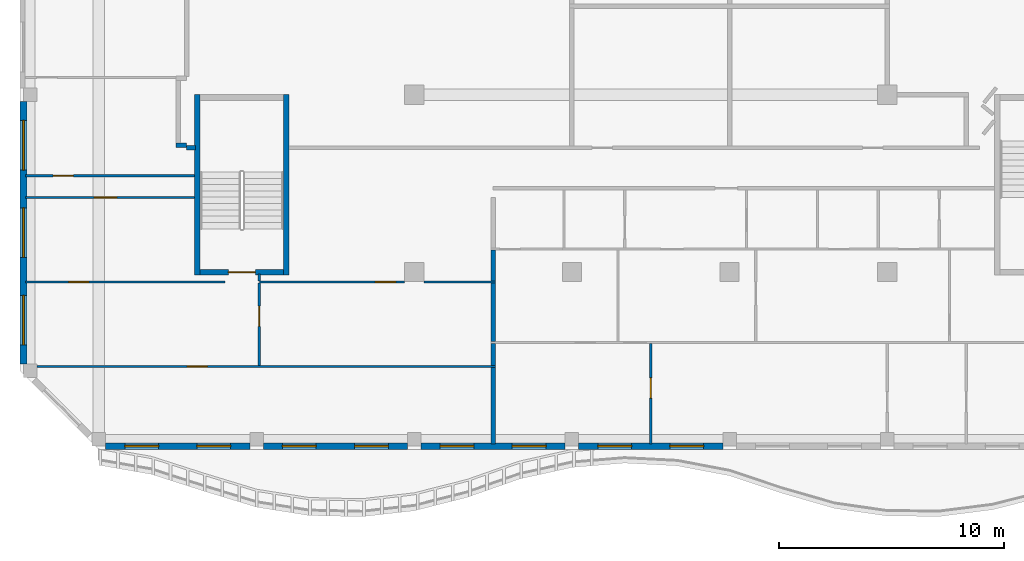
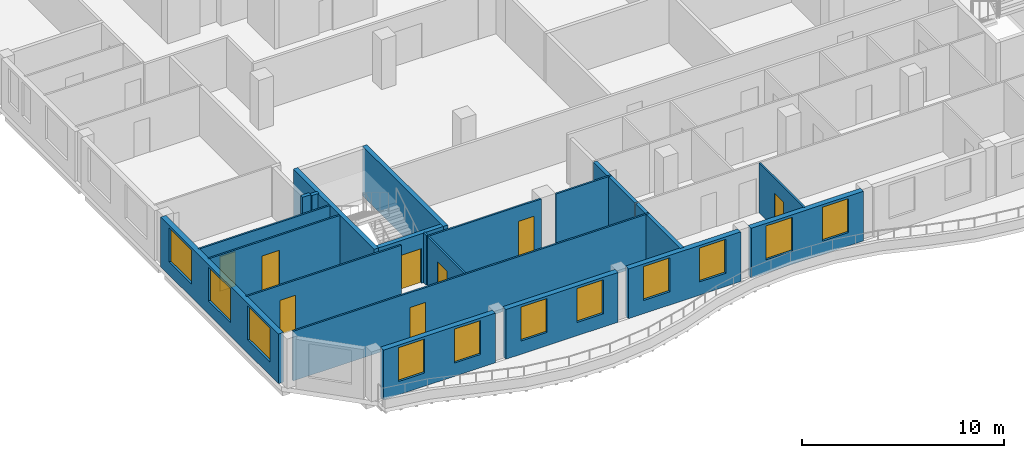
# One storey, part 2 of 14: 23 walls, 11 windows, 8 doors, 19 openings.
"""IFC4 building model written with IfcOpenShell, lengths in metres."""

from ifc_helpers import new_model, si_unit, direction, frame, frame_2d, origin, place, context, subcontext, project, spatial, rectangle, extrude, source, transform, mapped, material, layer, layer_set, type_object, element, fill, save


model = new_model("IFC4")

# Units and contexts
model_context = context("Model", 3, precision=1e-05, world=origin(), true_north=direction((0.0, 1.0)))
body_context = subcontext(model_context, "Body", "Model", "MODEL_VIEW")
ifc_project = project(units=[si_unit("LENGTHUNIT", "METRE"), si_unit("AREAUNIT", "SQUARE_METRE"), si_unit("VOLUMEUNIT", "CUBIC_METRE"), si_unit("PLANEANGLEUNIT", "RADIAN"), si_unit("MASSUNIT", "GRAM", prefix="KILO")], contexts=[model_context])

# Site, building, storey
site_placement = place(None, origin())
site = spatial("IfcSite", under=ifc_project, at=site_placement, CompositionType="ELEMENT")
building_placement = place(site_placement, origin())
building = spatial("IfcBuilding", under=site, at=building_placement, Name="Kilnfold Tower and Market Hall", CompositionType="ELEMENT")
storey_placement = place(building_placement, frame((0.0, 0.0, 315.39990234375)))
storey = spatial("IfcBuildingStorey", under=building, at=storey_placement, Name="L79", CompositionType="ELEMENT", Elevation=315.39990234375)

# Wall, opening, door
ifc_material_1 = material(Name="Gypsum board on steel studs", Category="steel")
ifc_layer_1 = layer(ifc_material_1, 0.10009765625)
ifc_layer_set_1 = layer_set([ifc_layer_1], Name="Gypsum board on steel studs")
wall_type_1 = type_object("IfcWallType", Name="WALL PARTITION 100", PredefinedType="PARTITIONING", material=ifc_layer_set_1)
wall_1_placement = place(storey_placement, frame((-24.75, -19.81201171875, 0.0), z_axis=(0.0, 0.0, 1.0), x_axis=(1.0, 0.0, 0.0)))
wall_1 = element("IfcWall", 1, at=wall_1_placement, inside=storey, type_object=wall_type_1, Name="Partition LY47.26", PredefinedType="PARTITIONING", context=body_context, shape_type="SweptSolid", body=[
    extrude(rectangle(XDim=20.35009765625, YDim=0.10009765625, at=frame_2d((10.175048828125, 0.0))), origin(), (0.0, 0.0, 1.0), 3.0),
])
opening_1_placement = place(wall_1_placement, frame((6.6640625, 0.0, 0.0)))
opening_1 = element("IfcOpeningElement", 2, at=opening_1_placement, cuts=wall_1, Name="Opening D2", PredefinedType="OPENING", context=body_context, shape_type="SweptSolid", body=[
    extrude(rectangle(XDim=0.89990234375, YDim=2.10009765625, at=frame_2d((0.449951171875, 1.050048828125))), frame((0.0, 0.06005859375, 0.0), z_axis=(0.0, -1.0, 0.0), x_axis=(1.0, 0.0, 0.0)), (0.0, 0.0, 1.0), 0.1201171875),
])
ifc_material_2 = material(Name="Timber veneer door leaf in steel frame", Category="steel")
door_type_1 = type_object("IfcDoorType", Name="DOOR ROOM 900 X2100", OperationType="NOTDEFINED", PredefinedType="DOOR", material=ifc_material_2)
door_1_placement = place(opening_1_placement, origin())
door_1 = element("IfcDoor", 3, at=door_1_placement, inside=storey, type_object=door_type_1, Name="Door D2", OperationType="SINGLE_SWING_LEFT", OverallHeight=2.10009765625, OverallWidth=0.89990234375, PredefinedType="DOOR", context=body_context, shape_type="SweptSolid", body=[
    extrude(rectangle(XDim=0.89990234375, YDim=2.10009765625, at=frame_2d((0.449951171875, 1.050048828125))), frame((0.0, 0.02490234375, 0.0), z_axis=(0.0, -1.0, 0.0), x_axis=(1.0, 0.0, 0.0)), (0.0, 0.0, 1.0), 0.050048828125),
])
fill(opening_1, door_1)

wall_2_placement = place(storey_placement, frame((-14.875, -19.761962890625, 0.0), z_axis=(0.0, 0.0, 1.0), x_axis=(0.0, 1.0, 0.0)))
wall_2 = element("IfcWall", 4, at=wall_2_placement, inside=storey, type_object=wall_type_1, Name="Partition LY47.28", PredefinedType="PARTITIONING", context=body_context, shape_type="SweptSolid", body=[
    extrude(rectangle(XDim=3.64990234375, YDim=0.10009765625, at=frame_2d((1.824951171875, 0.0))), origin(), (0.0, 0.0, 1.0), 3.0),
])
opening_2_placement = place(wall_2_placement, frame((1.73291015625, 0.0, 0.0)))
opening_2 = element("IfcOpeningElement", 5, at=opening_2_placement, cuts=wall_2, Name="Opening D2", PredefinedType="OPENING", context=body_context, shape_type="SweptSolid", body=[
    extrude(rectangle(XDim=0.89990234375, YDim=2.10009765625, at=frame_2d((0.449951171875, 1.050048828125))), frame((0.0, 0.06005859375, 0.0), z_axis=(0.0, -1.0, 0.0), x_axis=(1.0, 0.0, 0.0)), (0.0, 0.0, 1.0), 0.1201171875),
])
door_2_placement = place(opening_2_placement, origin())
door_2 = element("IfcDoor", 6, at=door_2_placement, inside=storey, type_object=door_type_1, Name="Door D2", OperationType="SINGLE_SWING_RIGHT", OverallHeight=2.10009765625, OverallWidth=0.89990234375, PredefinedType="DOOR", context=body_context, shape_type="SweptSolid", body=[
    extrude(rectangle(XDim=0.89990234375, YDim=2.10009765625, at=frame_2d((0.449951171875, 1.050048828125))), frame((0.0, 0.02490234375, 0.0), z_axis=(0.0, -1.0, 0.0), x_axis=(1.0, 0.0, 0.0)), (0.0, 0.0, 1.0), 0.050048828125),
])
fill(opening_2, door_2)

wall_3_placement = place(storey_placement, frame((-25.25, -16.06201171875, 0.0), z_axis=(0.0, 0.0, 1.0), x_axis=(1.0, 0.0, 0.0)))
wall_3 = element("IfcWall", 7, at=wall_3_placement, inside=storey, type_object=wall_type_1, Name="Partition LY47.29", PredefinedType="PARTITIONING", context=body_context, shape_type="SweptSolid", body=[
    extrude(rectangle(XDim=8.85009765625, YDim=0.10009765625, at=frame_2d((4.425048828125, 0.0))), origin(), (0.0, 0.0, 1.0), 3.0),
])
opening_3_placement = place(wall_3_placement, frame((1.910888671875, 0.0, 0.0)))
opening_3 = element("IfcOpeningElement", 8, at=opening_3_placement, cuts=wall_3, Name="Opening D2", PredefinedType="OPENING", context=body_context, shape_type="SweptSolid", body=[
    extrude(rectangle(XDim=0.89990234375, YDim=2.10009765625, at=frame_2d((0.449951171875, 1.050048828125))), frame((0.0, 0.06005859375, 0.0), z_axis=(0.0, -1.0, 0.0), x_axis=(1.0, 0.0, 0.0)), (0.0, 0.0, 1.0), 0.1201171875),
])
door_3_placement = place(opening_3_placement, origin())
door_3 = element("IfcDoor", 9, at=door_3_placement, inside=storey, type_object=door_type_1, Name="Door D2", OperationType="SINGLE_SWING_RIGHT", OverallHeight=2.10009765625, OverallWidth=0.89990234375, PredefinedType="DOOR", context=body_context, shape_type="SweptSolid", body=[
    extrude(rectangle(XDim=0.89990234375, YDim=2.10009765625, at=frame_2d((0.449951171875, 1.050048828125))), frame((0.0, 0.02490234375, 0.0), z_axis=(0.0, -1.0, 0.0), x_axis=(1.0, 0.0, 0.0)), (0.0, 0.0, 1.0), 0.050048828125),
])
fill(opening_3, door_3)

# Wall
wall_4_placement = place(storey_placement, frame((-7.574951171875, -16.06201171875, 0.0), z_axis=(0.0, 0.0, 1.0), x_axis=(1.0, 0.0, 0.0)))
element("IfcWall", 10, at=wall_4_placement, inside=storey, type_object=wall_type_1, Name="Partition LY47.30", PredefinedType="PARTITIONING", context=body_context, shape_type="SweptSolid", body=[
    extrude(rectangle(XDim=3.175048828125, YDim=0.10009765625, at=frame_2d((1.58740234375, 0.0))), origin(), (0.0, 0.0, 1.0), 3.0),
])

# Wall, opening, door
wall_5_placement = place(storey_placement, frame((-14.875, -16.06201171875, 0.0), z_axis=(0.0, 0.0, 1.0), x_axis=(1.0, 0.0, 0.0)))
wall_5 = element("IfcWall", 11, at=wall_5_placement, inside=storey, type_object=wall_type_1, Name="Partition LY47.31", PredefinedType="PARTITIONING", context=body_context, shape_type="SweptSolid", body=[
    extrude(rectangle(XDim=6.449951171875, YDim=0.10009765625, at=frame_2d((3.22509765625, 0.0))), origin(), (0.0, 0.0, 1.0), 3.0),
])
opening_4_placement = place(wall_5_placement, frame((5.14794921875, 0.0, 0.0)))
opening_4 = element("IfcOpeningElement", 12, at=opening_4_placement, cuts=wall_5, Name="Opening D2", PredefinedType="OPENING", context=body_context, shape_type="SweptSolid", body=[
    extrude(rectangle(XDim=0.89990234375, YDim=2.10009765625, at=frame_2d((0.449951171875, 1.050048828125))), frame((0.0, 0.06005859375, 0.0), z_axis=(0.0, -1.0, 0.0), x_axis=(1.0, 0.0, 0.0)), (0.0, 0.0, 1.0), 0.1201171875),
])
door_4_placement = place(opening_4_placement, origin())
door_4 = element("IfcDoor", 13, at=door_4_placement, inside=storey, type_object=door_type_1, Name="Door D2", OperationType="SINGLE_SWING_LEFT", OverallHeight=2.10009765625, OverallWidth=0.89990234375, PredefinedType="DOOR", context=body_context, shape_type="SweptSolid", body=[
    extrude(rectangle(XDim=0.89990234375, YDim=2.10009765625, at=frame_2d((0.449951171875, 1.050048828125))), frame((0.0, 0.02490234375, 0.0), z_axis=(0.0, -1.0, 0.0), x_axis=(1.0, 0.0, 0.0)), (0.0, 0.0, 1.0), 0.050048828125),
])
fill(opening_4, door_4)

# Wall
wall_6_placement = place(storey_placement, frame((-14.875, -16.011962890625, 0.0), z_axis=(0.0, 0.0, 1.0), x_axis=(0.0, 1.0, 0.0)))
element("IfcWall", 14, at=wall_6_placement, inside=storey, type_object=wall_type_1, Name="Partition LY47.34", PredefinedType="PARTITIONING", context=body_context, shape_type="SweptSolid", body=[
    extrude(rectangle(XDim=0.31201171875, YDim=0.10009765625, at=frame_2d((0.156005859375, 0.0))), origin(), (0.0, 0.0, 1.0), 3.0),
])

# Wall, opening, door
wall_7_placement = place(storey_placement, frame((-17.75, -12.31201171875, 0.0), z_axis=(0.0, 0.0, 1.0), x_axis=(-1.0, 0.0, 0.0)))
wall_7 = element("IfcWall", 15, at=wall_7_placement, inside=storey, type_object=wall_type_1, Name="Partition LY47.35", PredefinedType="PARTITIONING", context=body_context, shape_type="SweptSolid", body=[
    extrude(rectangle(XDim=7.5, YDim=0.10009765625, at=frame_2d((3.75, 0.0))), origin(), (0.0, 0.0, 1.0), 3.0),
])
opening_5_placement = place(wall_7_placement, frame((3.452880859375, 0.0, 0.0)))
opening_5 = element("IfcOpeningElement", 16, at=opening_5_placement, cuts=wall_7, Name="Opening D1", PredefinedType="OPENING", context=body_context, shape_type="SweptSolid", body=[
    extrude(rectangle(XDim=1.0, YDim=2.10009765625, at=frame_2d((0.5, 1.050048828125))), frame((0.0, 0.06005859375, 0.0), z_axis=(0.0, -1.0, 0.0), x_axis=(1.0, 0.0, 0.0)), (0.0, 0.0, 1.0), 0.1201171875),
])
ifc_material_3 = material(Name="Timber veneer door leaf in steel frame", Category="steel")
door_type_2 = type_object("IfcDoorType", Name="DOOR ENTRY 1000 X2100", OperationType="NOTDEFINED", PredefinedType="DOOR", material=ifc_material_3)
door_5_placement = place(opening_5_placement, origin())
door_5 = element("IfcDoor", 17, at=door_5_placement, inside=storey, type_object=door_type_2, Name="Door D1", OperationType="SINGLE_SWING_RIGHT", OverallHeight=2.10009765625, OverallWidth=1.0, PredefinedType="DOOR", context=body_context, shape_type="SweptSolid", body=[
    extrude(rectangle(XDim=1.0, YDim=2.10009765625, at=frame_2d((0.5, 1.050048828125))), frame((0.0, 0.02490234375, 0.0), z_axis=(0.0, -1.0, 0.0), x_axis=(1.0, 0.0, 0.0)), (0.0, 0.0, 1.0), 0.050048828125),
])
fill(opening_5, door_5)

wall_8_placement = place(storey_placement, frame((-17.75, -11.342041015625, 0.0), z_axis=(0.0, 0.0, 1.0), x_axis=(-1.0, 0.0, 0.0)))
wall_8 = element("IfcWall", 18, at=wall_8_placement, inside=storey, type_object=wall_type_1, Name="Partition LY47.38", PredefinedType="PARTITIONING", context=body_context, shape_type="SweptSolid", body=[
    extrude(rectangle(XDim=7.5, YDim=0.10009765625, at=frame_2d((3.75, 0.0))), origin(), (0.0, 0.0, 1.0), 3.0),
])
opening_6_placement = place(wall_8_placement, frame((5.384033203125, 0.0, 0.0)))
opening_6 = element("IfcOpeningElement", 19, at=opening_6_placement, cuts=wall_8, Name="Opening D2", PredefinedType="OPENING", context=body_context, shape_type="SweptSolid", body=[
    extrude(rectangle(XDim=0.89990234375, YDim=2.10009765625, at=frame_2d((0.449951171875, 1.050048828125))), frame((0.0, 0.06005859375, 0.0), z_axis=(0.0, -1.0, 0.0), x_axis=(1.0, 0.0, 0.0)), (0.0, 0.0, 1.0), 0.1201171875),
])
door_6_placement = place(opening_6_placement, origin())
door_6 = element("IfcDoor", 20, at=door_6_placement, inside=storey, type_object=door_type_1, Name="Door D2", OperationType="SINGLE_SWING_LEFT", OverallHeight=2.10009765625, OverallWidth=0.89990234375, PredefinedType="DOOR", context=body_context, shape_type="SweptSolid", body=[
    extrude(rectangle(XDim=0.89990234375, YDim=2.10009765625, at=frame_2d((0.449951171875, 1.050048828125))), frame((0.0, 0.02490234375, 0.0), z_axis=(0.0, -1.0, 0.0), x_axis=(1.0, 0.0, 0.0)), (0.0, 0.0, 1.0), 0.050048828125),
])
fill(opening_6, door_6)

wall_9_placement = place(storey_placement, frame((2.5, -23.25, 0.0), z_axis=(0.0, 0.0, 1.0), x_axis=(0.0, 1.0, 0.0)))
wall_9 = element("IfcWall", 21, at=wall_9_placement, inside=storey, type_object=wall_type_1, Name="Partition LY47.63", PredefinedType="PARTITIONING", context=body_context, shape_type="SweptSolid", body=[
    extrude(rectangle(XDim=4.447998046875, YDim=0.10009765625, at=frame_2d((2.22412109375, 0.0))), origin(), (0.0, 0.0, 1.0), 3.0),
])
opening_7_placement = place(wall_9_placement, frame((2.028076171875, 0.0, 0.0)))
opening_7 = element("IfcOpeningElement", 22, at=opening_7_placement, cuts=wall_9, Name="Opening D2", PredefinedType="OPENING", context=body_context, shape_type="SweptSolid", body=[
    extrude(rectangle(XDim=0.89990234375, YDim=2.10009765625, at=frame_2d((0.449951171875, 1.050048828125))), frame((0.0, 0.06005859375, 0.0), z_axis=(0.0, -1.0, 0.0), x_axis=(1.0, 0.0, 0.0)), (0.0, 0.0, 1.0), 0.1201171875),
])
door_7_placement = place(opening_7_placement, origin())
door_7 = element("IfcDoor", 23, at=door_7_placement, inside=storey, type_object=door_type_1, Name="Door D2", OperationType="SINGLE_SWING_LEFT", OverallHeight=2.10009765625, OverallWidth=0.89990234375, PredefinedType="DOOR", context=body_context, shape_type="SweptSolid", body=[
    extrude(rectangle(XDim=0.89990234375, YDim=2.10009765625, at=frame_2d((0.449951171875, 1.050048828125))), frame((0.0, 0.02490234375, 0.0), z_axis=(0.0, -1.0, 0.0), x_axis=(1.0, 0.0, 0.0)), (0.0, 0.0, 1.0), 0.050048828125),
])
fill(opening_7, door_7)

# Walls
ifc_material_4 = material(Name="Gypsum board on steel studs", Category="steel")
ifc_layer_2 = layer(ifc_material_4, 0.199951171875)
ifc_layer_set_2 = layer_set([ifc_layer_2], Name="Gypsum board on steel studs")
wall_type_2 = type_object("IfcWallType", Name="WALL PARTY 200", PredefinedType="PARTITIONING", material=ifc_layer_set_2)
wall_10_placement = place(storey_placement, frame((-4.5, -23.25, 0.0), z_axis=(0.0, 0.0, 1.0), x_axis=(0.0, 1.0, 0.0)))
element("IfcWall", 24, at=wall_10_placement, inside=storey, type_object=wall_type_2, Name="Partition LY47.27", PredefinedType="PARTITIONING", context=body_context, shape_type="SweptSolid", body=[
    extrude(rectangle(XDim=3.387939453125, YDim=0.199951171875, at=frame_2d((1.69384765625, 0.0))), origin(), (0.0, 0.0, 1.0), 3.0),
])
wall_11_placement = place(storey_placement, frame((-4.5, -18.7099609375, 0.0), z_axis=(0.0, 0.0, 1.0), x_axis=(0.0, 1.0, 0.0)))
element("IfcWall", 25, at=wall_11_placement, inside=storey, type_object=wall_type_2, Name="Partition LY47.32", PredefinedType="PARTITIONING", context=body_context, shape_type="SweptSolid", body=[
    extrude(rectangle(XDim=2.597900390625, YDim=0.199951171875, at=frame_2d((1.298828125, 0.0))), origin(), (0.0, 0.0, 1.0), 3.0),
])
wall_12_placement = place(storey_placement, frame((-4.5, -19.761962890625, 0.0), z_axis=(0.0, 0.0, 1.0), x_axis=(0.0, 1.0, 0.0)))
element("IfcWall", 26, at=wall_12_placement, inside=storey, type_object=wall_type_2, Name="Partition LY47.33", PredefinedType="PARTITIONING", context=body_context, shape_type="SweptSolid", body=[
    extrude(rectangle(XDim=0.969970703125, YDim=0.199951171875, at=frame_2d((0.48486328125, 0.0))), origin(), (0.0, 0.0, 1.0), 3.0),
])
wall_13_placement = place(storey_placement, frame((-4.5, -16.011962890625, 0.0), z_axis=(0.0, 0.0, 1.0), x_axis=(0.0, 1.0, 0.0)))
element("IfcWall", 27, at=wall_13_placement, inside=storey, type_object=wall_type_2, Name="Partition LY47.36", PredefinedType="PARTITIONING", context=body_context, shape_type="SweptSolid", body=[
    extrude(rectangle(XDim=1.369873046875, YDim=0.199951171875, at=frame_2d((0.68505859375, 0.0))), origin(), (0.0, 0.0, 1.0), 3.0),
])
wall_14_placement = place(storey_placement, frame((-18.10009765625, -10.001953125, 0.0), z_axis=(0.0, 0.0, 1.0), x_axis=(-1.0, 0.0, 0.0)))
element("IfcWall", 28, at=wall_14_placement, inside=storey, type_object=wall_type_2, Name="Partition LY47.42", PredefinedType="PARTITIONING", context=body_context, shape_type="SweptSolid", body=[
    extrude(rectangle(XDim=0.48193359375, YDim=0.199951171875, at=frame_2d((0.240966796875, 0.0))), origin(), (0.0, 0.0, 1.0), 3.0),
])
wall_15_placement = place(storey_placement, frame((-17.699951171875, -10.10009765625, 0.0), z_axis=(0.0, 0.0, 1.0), x_axis=(-1.0, 0.0, 0.0)))
element("IfcWall", 29, at=wall_15_placement, inside=storey, type_object=wall_type_2, Name="Partition LY47.43", PredefinedType="PARTITIONING", context=body_context, shape_type="SweptSolid", body=[
    extrude(rectangle(XDim=0.400146484375, YDim=0.199951171875, at=frame_2d((0.2001953125, 0.0))), origin(), (0.0, 0.0, 1.0), 3.0),
])

# Wall, opening, door
ifc_material_5 = material(Name="Concrete C50", Category="concrete")
ifc_layer_3 = layer(ifc_material_5, 0.25)
ifc_layer_set_3 = layer_set([ifc_layer_3], Name="Concrete C50")
wall_type_3 = type_object("IfcWallType", Name="CORE WALL 250 C50", PredefinedType="SHEAR", material=ifc_layer_set_3)
shared_shape_1 = source(origin(), body_context, "Body", "SweptSolid", [
    extrude(rectangle(XDim=3.699951171875, YDim=0.25, at=frame_2d((1.85009765625, 0.0))), origin(), (0.0, 0.0, 1.0), 3.0),
])
wall_16_placement = place(storey_placement, frame((-17.5, -15.625, 0.0), z_axis=(0.0, 0.0, 1.0), x_axis=(1.0, 0.0, 0.0)))
wall_16 = element("IfcWall", 30, at=wall_16_placement, inside=storey, type_object=wall_type_3, Name="Stair enclosure ST3", PredefinedType="SHEAR", context=body_context, shape_type="MappedRepresentation", body=[
    mapped(shared_shape_1, transform((0.0, 0.0, 0.0))),
])
opening_8_placement = place(wall_16_placement, frame((1.25, 0.0, 0.0)))
opening_8 = element("IfcOpeningElement", 31, at=opening_8_placement, cuts=wall_16, Name="Opening SD1", PredefinedType="OPENING", context=body_context, shape_type="SweptSolid", body=[
    extrude(rectangle(XDim=1.199951171875, YDim=2.10009765625, at=frame_2d((0.60009765625, 1.050048828125))), frame((0.0, 0.135009765625, 0.0), z_axis=(0.0, -1.0, 0.0), x_axis=(1.0, 0.0, 0.0)), (0.0, 0.0, 1.0), 0.27001953125),
])
ifc_material_6 = material(Name="Steel door set with fire-resisting leaf", Category="steel")
door_type_3 = type_object("IfcDoorType", Name="STAIR FLOOR DOOR 1200X2100", OperationType="NOTDEFINED", PredefinedType="DOOR", material=ifc_material_6)
door_8_placement = place(opening_8_placement, origin())
door_8 = element("IfcDoor", 32, at=door_8_placement, inside=storey, type_object=door_type_3, Name="Exit stair ST3 door", OperationType="DOUBLE_DOOR_SINGLE_SWING", OverallHeight=2.10009765625, OverallWidth=1.199951171875, PredefinedType="DOOR", context=body_context, shape_type="SweptSolid", body=[
    extrude(rectangle(XDim=1.199951171875, YDim=2.10009765625, at=frame_2d((0.60009765625, 1.050048828125))), frame((0.0, 0.02490234375, 0.0), z_axis=(0.0, -1.0, 0.0), x_axis=(1.0, 0.0, 0.0)), (0.0, 0.0, 1.0), 0.050048828125),
])
fill(opening_8, door_8)

# Walls
shared_shape_2 = source(origin(), body_context, "Body", "SweptSolid", [
    extrude(rectangle(XDim=8.0, YDim=0.25, at=frame_2d((4.0, 0.0))), origin(), (0.0, 0.0, 1.0), 3.0),
])
for number, where, z_axis, x_axis, name in (
    (33, (-17.625, -15.75, 0.0), (0.0, 0.0, 1.0), (0.0, 1.0, 0.0), "Stair enclosure ST3"),
    (34, (-13.675048828125, -15.75, 0.0), (0.0, 0.0, 1.0), (0.0, 1.0, 0.0), "Stair enclosure ST3"),
):
    element("IfcWall", number, at=place(storey_placement, frame(where, z_axis=z_axis, x_axis=x_axis)), inside=storey, type_object=wall_type_3, Name=name, PredefinedType="SHEAR", context=body_context, shape_type="MappedRepresentation", body=[
        mapped(shared_shape_2, transform((0.0, 0.0, 0.0))),
    ])

# Wall, openings, windows
ifc_material_7 = material(Name="Precast concrete C50/60", Category="concrete")
ifc_layer_4 = layer(ifc_material_7, 0.300048828125)
ifc_layer_set_4 = layer_set([ifc_layer_4], Name="Precast concrete C50/60")
wall_type_4 = type_object("IfcWallType", Name="PRECAST WALL 300", PredefinedType="SOLIDWALL", material=ifc_layer_set_4)
shared_shape_3 = source(origin(), body_context, "Body", "SweptSolid", [
    extrude(rectangle(XDim=6.39990234375, YDim=0.300048828125, at=frame_2d((3.199951171875, 0.0))), origin(), (0.0, 0.0, 1.0), 3.0),
])
wall_17_placement = place(storey_placement, frame((-21.699951171875, -23.35009765625, 0.0), z_axis=(0.0, 0.0, 1.0), x_axis=(1.0, 0.0, 0.0)))
wall_17 = element("IfcWall", 35, at=wall_17_placement, inside=storey, type_object=wall_type_4, Name="External wall L79 S", PredefinedType="SOLIDWALL", context=body_context, shape_type="MappedRepresentation", body=[
    mapped(shared_shape_3, transform((0.0, 0.0, 0.0))),
])
opening_9_placement = place(wall_17_placement, frame((0.85009765625, 0.0, 0.800048828125)))
opening_9 = element("IfcOpeningElement", 36, at=opening_9_placement, cuts=wall_17, Name="Opening W5", PredefinedType="OPENING", context=body_context, shape_type="SweptSolid", body=[
    extrude(rectangle(XDim=1.5, YDim=2.050048828125, at=frame_2d((0.75, 1.02490234375))), frame((0.0, 0.16015625, 0.0), z_axis=(0.0, -1.0, 0.0), x_axis=(1.0, 0.0, 0.0)), (0.0, 0.0, 1.0), 0.320068359375),
])
opening_10_placement = place(wall_17_placement, frame((4.050048828125, 0.0, 0.800048828125)))
opening_10 = element("IfcOpeningElement", 37, at=opening_10_placement, cuts=wall_17, Name="Opening W5", PredefinedType="OPENING", context=body_context, shape_type="SweptSolid", body=[
    extrude(rectangle(XDim=1.5, YDim=2.050048828125, at=frame_2d((0.75, 1.02490234375))), frame((0.0, 0.16015625, 0.0), z_axis=(0.0, -1.0, 0.0), x_axis=(1.0, 0.0, 0.0)), (0.0, 0.0, 1.0), 0.320068359375),
])
ifc_material_8 = material(Name="Aluminium frame and double glazing", Category="aluminium")
window_type_1 = type_object("IfcWindowType", Name="WINDOW W5 1500X2050", PartitioningType="SINGLE_PANEL", PredefinedType="WINDOW", material=ifc_material_8)
window_1_placement = place(opening_9_placement, origin())
window_1 = element("IfcWindow", 38, at=window_1_placement, inside=storey, type_object=window_type_1, Name="Window W5 L79 S-1", OverallHeight=2.050048828125, OverallWidth=1.5, PartitioningType="SINGLE_PANEL", PredefinedType="WINDOW", context=body_context, shape_type="SweptSolid", body=[
    extrude(rectangle(XDim=1.5, YDim=2.050048828125, at=frame_2d((0.75, 1.02490234375))), frame((0.0, 0.030029296875, 0.0), z_axis=(0.0, -1.0, 0.0), x_axis=(1.0, 0.0, 0.0)), (0.0, 0.0, 1.0), 0.06005859375),
])
fill(opening_9, window_1)
window_2_placement = place(opening_10_placement, origin())
window_2 = element("IfcWindow", 39, at=window_2_placement, inside=storey, type_object=window_type_1, Name="Window W5 L79 S-2", OverallHeight=2.050048828125, OverallWidth=1.5, PartitioningType="SINGLE_PANEL", PredefinedType="WINDOW", context=body_context, shape_type="SweptSolid", body=[
    extrude(rectangle(XDim=1.5, YDim=2.050048828125, at=frame_2d((0.75, 1.02490234375))), frame((0.0, 0.030029296875, 0.0), z_axis=(0.0, -1.0, 0.0), x_axis=(1.0, 0.0, 0.0)), (0.0, 0.0, 1.0), 0.06005859375),
])
fill(opening_10, window_2)

wall_18_placement = place(storey_placement, frame((-14.699951171875, -23.35009765625, 0.0), z_axis=(0.0, 0.0, 1.0), x_axis=(1.0, 0.0, 0.0)))
wall_18 = element("IfcWall", 40, at=wall_18_placement, inside=storey, type_object=wall_type_4, Name="External wall L79 S", PredefinedType="SOLIDWALL", context=body_context, shape_type="MappedRepresentation", body=[
    mapped(shared_shape_3, transform((0.0, 0.0, 0.0))),
])
opening_11_placement = place(wall_18_placement, frame((0.85009765625, 0.0, 0.800048828125)))
opening_11 = element("IfcOpeningElement", 41, at=opening_11_placement, cuts=wall_18, Name="Opening W5", PredefinedType="OPENING", context=body_context, shape_type="SweptSolid", body=[
    extrude(rectangle(XDim=1.5, YDim=2.050048828125, at=frame_2d((0.75, 1.02490234375))), frame((0.0, 0.16015625, 0.0), z_axis=(0.0, -1.0, 0.0), x_axis=(1.0, 0.0, 0.0)), (0.0, 0.0, 1.0), 0.320068359375),
])
opening_12_placement = place(wall_18_placement, frame((4.050048828125, 0.0, 0.800048828125)))
opening_12 = element("IfcOpeningElement", 42, at=opening_12_placement, cuts=wall_18, Name="Opening W5", PredefinedType="OPENING", context=body_context, shape_type="SweptSolid", body=[
    extrude(rectangle(XDim=1.5, YDim=2.050048828125, at=frame_2d((0.75, 1.02490234375))), frame((0.0, 0.16015625, 0.0), z_axis=(0.0, -1.0, 0.0), x_axis=(1.0, 0.0, 0.0)), (0.0, 0.0, 1.0), 0.320068359375),
])
window_3_placement = place(opening_11_placement, origin())
window_3 = element("IfcWindow", 43, at=window_3_placement, inside=storey, type_object=window_type_1, Name="Window W5 L79 S-1", OverallHeight=2.050048828125, OverallWidth=1.5, PartitioningType="SINGLE_PANEL", PredefinedType="WINDOW", context=body_context, shape_type="SweptSolid", body=[
    extrude(rectangle(XDim=1.5, YDim=2.050048828125, at=frame_2d((0.75, 1.02490234375))), frame((0.0, 0.030029296875, 0.0), z_axis=(0.0, -1.0, 0.0), x_axis=(1.0, 0.0, 0.0)), (0.0, 0.0, 1.0), 0.06005859375),
])
fill(opening_11, window_3)
window_4_placement = place(opening_12_placement, origin())
window_4 = element("IfcWindow", 44, at=window_4_placement, inside=storey, type_object=window_type_1, Name="Window W5 L79 S-2", OverallHeight=2.050048828125, OverallWidth=1.5, PartitioningType="SINGLE_PANEL", PredefinedType="WINDOW", context=body_context, shape_type="SweptSolid", body=[
    extrude(rectangle(XDim=1.5, YDim=2.050048828125, at=frame_2d((0.75, 1.02490234375))), frame((0.0, 0.030029296875, 0.0), z_axis=(0.0, -1.0, 0.0), x_axis=(1.0, 0.0, 0.0)), (0.0, 0.0, 1.0), 0.06005859375),
])
fill(opening_12, window_4)

wall_19_placement = place(storey_placement, frame((-7.699951171875, -23.35009765625, 0.0), z_axis=(0.0, 0.0, 1.0), x_axis=(1.0, 0.0, 0.0)))
wall_19 = element("IfcWall", 45, at=wall_19_placement, inside=storey, type_object=wall_type_4, Name="External wall L79 S", PredefinedType="SOLIDWALL", context=body_context, shape_type="MappedRepresentation", body=[
    mapped(shared_shape_3, transform((0.0, 0.0, 0.0))),
])
opening_13_placement = place(wall_19_placement, frame((0.85009765625, 0.0, 0.800048828125)))
opening_13 = element("IfcOpeningElement", 46, at=opening_13_placement, cuts=wall_19, Name="Opening W5", PredefinedType="OPENING", context=body_context, shape_type="SweptSolid", body=[
    extrude(rectangle(XDim=1.5, YDim=2.050048828125, at=frame_2d((0.75, 1.02490234375))), frame((0.0, 0.16015625, 0.0), z_axis=(0.0, -1.0, 0.0), x_axis=(1.0, 0.0, 0.0)), (0.0, 0.0, 1.0), 0.320068359375),
])
opening_14_placement = place(wall_19_placement, frame((4.050048828125, 0.0, 0.800048828125)))
opening_14 = element("IfcOpeningElement", 47, at=opening_14_placement, cuts=wall_19, Name="Opening W5", PredefinedType="OPENING", context=body_context, shape_type="SweptSolid", body=[
    extrude(rectangle(XDim=1.5, YDim=2.050048828125, at=frame_2d((0.75, 1.02490234375))), frame((0.0, 0.16015625, 0.0), z_axis=(0.0, -1.0, 0.0), x_axis=(1.0, 0.0, 0.0)), (0.0, 0.0, 1.0), 0.320068359375),
])
window_5_placement = place(opening_13_placement, origin())
window_5 = element("IfcWindow", 48, at=window_5_placement, inside=storey, type_object=window_type_1, Name="Window W5 L79 S-1", OverallHeight=2.050048828125, OverallWidth=1.5, PartitioningType="SINGLE_PANEL", PredefinedType="WINDOW", context=body_context, shape_type="SweptSolid", body=[
    extrude(rectangle(XDim=1.5, YDim=2.050048828125, at=frame_2d((0.75, 1.02490234375))), frame((0.0, 0.030029296875, 0.0), z_axis=(0.0, -1.0, 0.0), x_axis=(1.0, 0.0, 0.0)), (0.0, 0.0, 1.0), 0.06005859375),
])
fill(opening_13, window_5)
window_6_placement = place(opening_14_placement, origin())
window_6 = element("IfcWindow", 49, at=window_6_placement, inside=storey, type_object=window_type_1, Name="Window W5 L79 S-2", OverallHeight=2.050048828125, OverallWidth=1.5, PartitioningType="SINGLE_PANEL", PredefinedType="WINDOW", context=body_context, shape_type="SweptSolid", body=[
    extrude(rectangle(XDim=1.5, YDim=2.050048828125, at=frame_2d((0.75, 1.02490234375))), frame((0.0, 0.030029296875, 0.0), z_axis=(0.0, -1.0, 0.0), x_axis=(1.0, 0.0, 0.0)), (0.0, 0.0, 1.0), 0.06005859375),
])
fill(opening_14, window_6)

wall_20_placement = place(storey_placement, frame((-0.699951171875, -23.35009765625, 0.0), z_axis=(0.0, 0.0, 1.0), x_axis=(1.0, 0.0, 0.0)))
wall_20 = element("IfcWall", 50, at=wall_20_placement, inside=storey, type_object=wall_type_4, Name="External wall L79 S", PredefinedType="SOLIDWALL", context=body_context, shape_type="MappedRepresentation", body=[
    mapped(shared_shape_3, transform((0.0, 0.0, 0.0))),
])
opening_15_placement = place(wall_20_placement, frame((0.85009765625, 0.0, 0.800048828125)))
opening_15 = element("IfcOpeningElement", 51, at=opening_15_placement, cuts=wall_20, Name="Opening W5", PredefinedType="OPENING", context=body_context, shape_type="SweptSolid", body=[
    extrude(rectangle(XDim=1.5, YDim=2.050048828125, at=frame_2d((0.75, 1.02490234375))), frame((0.0, 0.16015625, 0.0), z_axis=(0.0, -1.0, 0.0), x_axis=(1.0, 0.0, 0.0)), (0.0, 0.0, 1.0), 0.320068359375),
])
opening_16_placement = place(wall_20_placement, frame((4.050048828125, 0.0, 0.800048828125)))
opening_16 = element("IfcOpeningElement", 52, at=opening_16_placement, cuts=wall_20, Name="Opening W5", PredefinedType="OPENING", context=body_context, shape_type="SweptSolid", body=[
    extrude(rectangle(XDim=1.5, YDim=2.050048828125, at=frame_2d((0.75, 1.02490234375))), frame((0.0, 0.16015625, 0.0), z_axis=(0.0, -1.0, 0.0), x_axis=(1.0, 0.0, 0.0)), (0.0, 0.0, 1.0), 0.320068359375),
])
window_7_placement = place(opening_15_placement, origin())
window_7 = element("IfcWindow", 53, at=window_7_placement, inside=storey, type_object=window_type_1, Name="Window W5 L79 S-1", OverallHeight=2.050048828125, OverallWidth=1.5, PartitioningType="SINGLE_PANEL", PredefinedType="WINDOW", context=body_context, shape_type="SweptSolid", body=[
    extrude(rectangle(XDim=1.5, YDim=2.050048828125, at=frame_2d((0.75, 1.02490234375))), frame((0.0, 0.030029296875, 0.0), z_axis=(0.0, -1.0, 0.0), x_axis=(1.0, 0.0, 0.0)), (0.0, 0.0, 1.0), 0.06005859375),
])
fill(opening_15, window_7)
window_8_placement = place(opening_16_placement, origin())
window_8 = element("IfcWindow", 54, at=window_8_placement, inside=storey, type_object=window_type_1, Name="Window W5 L79 S-2", OverallHeight=2.050048828125, OverallWidth=1.5, PartitioningType="SINGLE_PANEL", PredefinedType="WINDOW", context=body_context, shape_type="SweptSolid", body=[
    extrude(rectangle(XDim=1.5, YDim=2.050048828125, at=frame_2d((0.75, 1.02490234375))), frame((0.0, 0.030029296875, 0.0), z_axis=(0.0, -1.0, 0.0), x_axis=(1.0, 0.0, 0.0)), (0.0, 0.0, 1.0), 0.06005859375),
])
fill(opening_16, window_8)

shared_shape_4 = source(origin(), body_context, "Body", "SweptSolid", [
    extrude(rectangle(XDim=11.64990234375, YDim=0.300048828125, at=frame_2d((5.824951171875, 0.0))), origin(), (0.0, 0.0, 1.0), 3.0),
])
wall_21_placement = place(storey_placement, frame((-25.35009765625, -8.050048828125, 0.0), z_axis=(0.0, 0.0, 1.0), x_axis=(0.0, -1.0, 0.0)))
wall_21 = element("IfcWall", 55, at=wall_21_placement, inside=storey, type_object=wall_type_4, Name="External wall L79 W", PredefinedType="SOLIDWALL", context=body_context, shape_type="MappedRepresentation", body=[
    mapped(shared_shape_4, transform((0.0, 0.0, 0.0))),
])
opening_17_placement = place(wall_21_placement, frame((0.841552734375, 0.0, 0.800048828125)))
opening_17 = element("IfcOpeningElement", 56, at=opening_17_placement, cuts=wall_21, Name="Opening W3", PredefinedType="OPENING", context=body_context, shape_type="SweptSolid", body=[
    extrude(rectangle(XDim=2.199951171875, YDim=2.050048828125, at=frame_2d((1.10009765625, 1.02490234375))), frame((0.0, 0.16015625, 0.0), z_axis=(0.0, -1.0, 0.0), x_axis=(1.0, 0.0, 0.0)), (0.0, 0.0, 1.0), 0.320068359375),
])
opening_18_placement = place(wall_21_placement, frame((4.72509765625, 0.0, 0.800048828125)))
opening_18 = element("IfcOpeningElement", 57, at=opening_18_placement, cuts=wall_21, Name="Opening W3", PredefinedType="OPENING", context=body_context, shape_type="SweptSolid", body=[
    extrude(rectangle(XDim=2.199951171875, YDim=2.050048828125, at=frame_2d((1.10009765625, 1.02490234375))), frame((0.0, 0.16015625, 0.0), z_axis=(0.0, -1.0, 0.0), x_axis=(1.0, 0.0, 0.0)), (0.0, 0.0, 1.0), 0.320068359375),
])
opening_19_placement = place(wall_21_placement, frame((8.6083984375, 0.0, 0.800048828125)))
opening_19 = element("IfcOpeningElement", 58, at=opening_19_placement, cuts=wall_21, Name="Opening W3", PredefinedType="OPENING", context=body_context, shape_type="SweptSolid", body=[
    extrude(rectangle(XDim=2.199951171875, YDim=2.050048828125, at=frame_2d((1.10009765625, 1.02490234375))), frame((0.0, 0.16015625, 0.0), z_axis=(0.0, -1.0, 0.0), x_axis=(1.0, 0.0, 0.0)), (0.0, 0.0, 1.0), 0.320068359375),
])
ifc_material_9 = material(Name="Aluminium frame and double glazing", Category="aluminium")
window_type_2 = type_object("IfcWindowType", Name="WINDOW W3 2200X2050", PartitioningType="SINGLE_PANEL", PredefinedType="WINDOW", material=ifc_material_9)
window_9_placement = place(opening_17_placement, origin())
window_9 = element("IfcWindow", 59, at=window_9_placement, inside=storey, type_object=window_type_2, Name="Window W3 L79 W-1", OverallHeight=2.050048828125, OverallWidth=2.199951171875, PartitioningType="SINGLE_PANEL", PredefinedType="WINDOW", context=body_context, shape_type="SweptSolid", body=[
    extrude(rectangle(XDim=2.199951171875, YDim=2.050048828125, at=frame_2d((1.10009765625, 1.02490234375))), frame((0.0, 0.030029296875, 0.0), z_axis=(0.0, -1.0, 0.0), x_axis=(1.0, 0.0, 0.0)), (0.0, 0.0, 1.0), 0.06005859375),
])
fill(opening_17, window_9)
window_10_placement = place(opening_18_placement, origin())
window_10 = element("IfcWindow", 60, at=window_10_placement, inside=storey, type_object=window_type_2, Name="Window W3 L79 W-2", OverallHeight=2.050048828125, OverallWidth=2.199951171875, PartitioningType="SINGLE_PANEL", PredefinedType="WINDOW", context=body_context, shape_type="SweptSolid", body=[
    extrude(rectangle(XDim=2.199951171875, YDim=2.050048828125, at=frame_2d((1.10009765625, 1.02490234375))), frame((0.0, 0.030029296875, 0.0), z_axis=(0.0, -1.0, 0.0), x_axis=(1.0, 0.0, 0.0)), (0.0, 0.0, 1.0), 0.06005859375),
])
fill(opening_18, window_10)
window_11_placement = place(opening_19_placement, origin())
window_11 = element("IfcWindow", 61, at=window_11_placement, inside=storey, type_object=window_type_2, Name="Window W3 L79 W-3", OverallHeight=2.050048828125, OverallWidth=2.199951171875, PartitioningType="SINGLE_PANEL", PredefinedType="WINDOW", context=body_context, shape_type="SweptSolid", body=[
    extrude(rectangle(XDim=2.199951171875, YDim=2.050048828125, at=frame_2d((1.10009765625, 1.02490234375))), frame((0.0, 0.030029296875, 0.0), z_axis=(0.0, -1.0, 0.0), x_axis=(1.0, 0.0, 0.0)), (0.0, 0.0, 1.0), 0.06005859375),
])
fill(opening_19, window_11)

save(model, "model.ifc")
